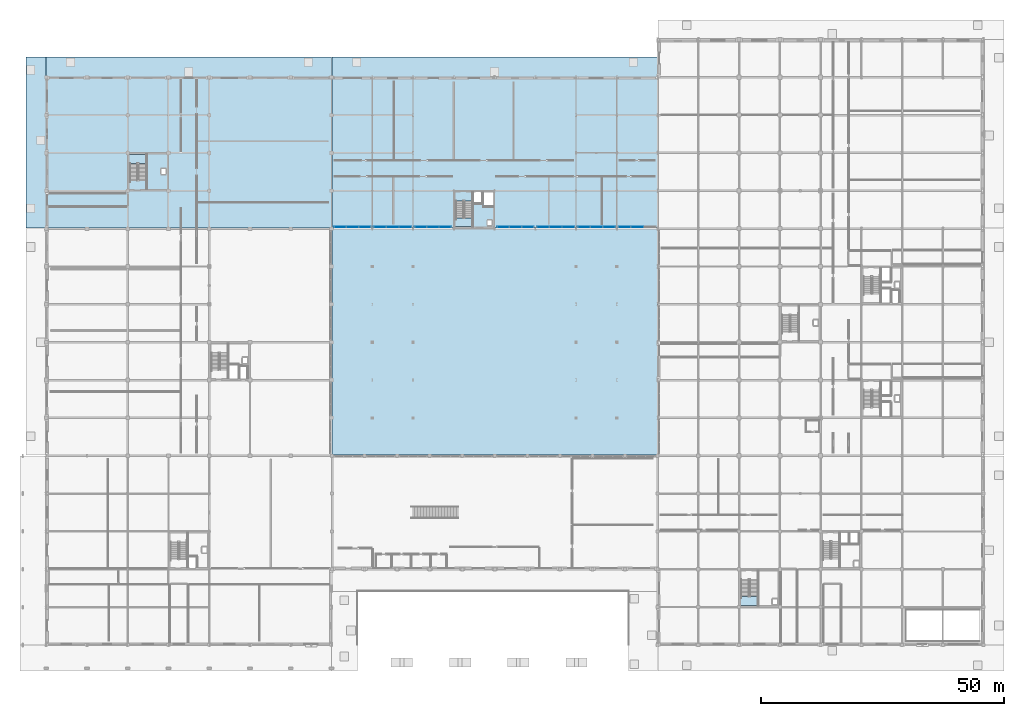
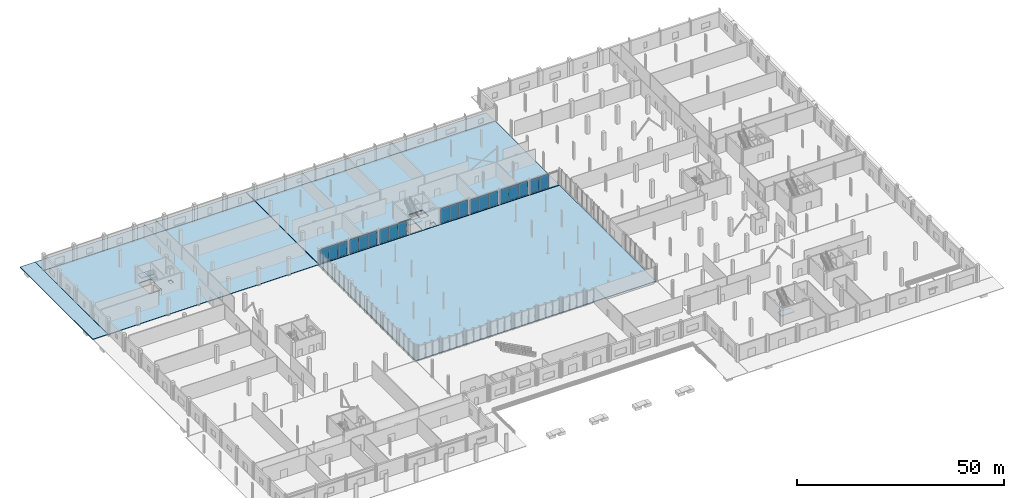
# One storey, part 42 of 80: 20 plates, 9 slabs, 10 elements without a shape of their own.
"""IFC4 building model written with IfcOpenShell, lengths in metres."""

from ifc_helpers import new_model, si_unit, direction, frame, origin, origin_2d, place, context, subcontext, project, spatial, polyline, rectangle, outline, extrude, material, layer, layer_set, type_object, element, aggregate, save


model = new_model("IFC4")

# Units and contexts
model_context = context("Model", 3, precision=1e-05, world=origin(), true_north=direction((0.0, 1.0)))
body_context = subcontext(model_context, "Body", "Model", "MODEL_VIEW")
ifc_project = project(units=[si_unit("LENGTHUNIT", "METRE"), si_unit("AREAUNIT", "SQUARE_METRE"), si_unit("VOLUMEUNIT", "CUBIC_METRE"), si_unit("PLANEANGLEUNIT", "RADIAN"), si_unit("MASSUNIT", "GRAM", prefix="KILO")], contexts=[model_context])

# Site, building, storey
site_placement = place(None, origin())
site = spatial("IfcSite", under=ifc_project, at=site_placement, CompositionType="ELEMENT")
building_placement = place(site_placement, origin())
building = spatial("IfcBuilding", under=site, at=building_placement, Name="Nabrawat Pavilion Hospital", CompositionType="ELEMENT")
storey_placement = place(building_placement, origin())
storey = spatial("IfcBuildingStorey", under=building, at=storey_placement, Name="L00", CompositionType="ELEMENT", Elevation=0.0)

# Slabs
ifc_material_1 = material(Name="Concrete C35/45", Category="concrete")
ifc_layer_1 = layer(ifc_material_1, 0.25, Name="Concrete C35/45")
ifc_layer_set_1 = layer_set([ifc_layer_1], Name="Concrete C35/45")
slab_type_1 = type_object("IfcSlabType", Name="Composite Lower Ward Slab 250", PredefinedType="FLOOR", material=ifc_layer_set_1)
slab_1_placement = place(storey_placement, frame((0.0, 0.0, -0.25)))
element("IfcSlab", 1, at=slab_1_placement, inside=storey, type_object=slab_type_1, Name="L00 Structural Floor Slab P_L00_V3_N", PredefinedType="FLOOR", context=body_context, shape_type="SweptSolid", body=[
    extrude(outline(polyline([(0.0, 85.919921875), (58.800048828125, 85.919921875), (58.800048828125, 117.0), (0.0, 117.0), (0.0, 85.919921875)]), holes=[polyline([(24.64990234375, 98.14990234375), (24.64990234375, 97.050048828125), (23.75, 97.050048828125), (23.75, 98.14990234375), (24.64990234375, 98.14990234375)]), polyline([(17.25, 100.949951171875), (20.64990234375, 100.949951171875), (20.64990234375, 95.669921875), (17.25, 95.669921875), (17.25, 100.949951171875)])]), origin(), (0.0, 0.0, 1.0), 0.25),
])
ifc_layer_2 = layer(ifc_material_1, 0.280029296875, Name="Concrete C35/45")
ifc_layer_set_2 = layer_set([ifc_layer_2], Name="Concrete C35/45")
slab_type_2 = type_object("IfcSlabType", Name="Diagnostic Imaging Heavy Slab 280", PredefinedType="FLOOR", material=ifc_layer_set_2)
slab_2_placement = place(storey_placement, frame((0.0, 0.0, -0.280029296875)))
element("IfcSlab", 2, at=slab_2_placement, inside=storey, type_object=slab_type_2, Name="L00 Structural Floor Slab P_L00_V4", PredefinedType="FLOOR", context=body_context, shape_type="SweptSolid", body=[
    extrude(outline(polyline([(58.919921875, 85.919921875), (126.0, 85.919921875), (126.0, 117.0), (58.919921875, 117.0), (58.919921875, 85.919921875)]), holes=[polyline([(90.1201171875, 90.39990234375), (90.1201171875, 93.300048828125), (92.080078125, 93.300048828125), (92.080078125, 90.39990234375), (90.1201171875, 90.39990234375)]), polyline([(90.949951171875, 86.469970703125), (90.949951171875, 87.570068359375), (91.85009765625, 87.570068359375), (91.85009765625, 86.469970703125), (90.949951171875, 86.469970703125)]), polyline([(88.10009765625, 91.0), (88.10009765625, 93.300048828125), (89.860107421875, 93.300048828125), (89.860107421875, 91.0), (88.10009765625, 91.0)]), polyline([(84.449951171875, 91.530029296875), (87.85009765625, 91.530029296875), (87.85009765625, 86.25), (84.449951171875, 86.25), (84.449951171875, 91.530029296875)])]), origin(), (0.0, 0.0, 1.0), 0.280029296875),
])
ifc_layer_3 = layer(ifc_material_1, 0.199951171875, Name="Concrete C35/45")
ifc_layer_set_3 = layer_set([ifc_layer_3], Name="Concrete C35/45")
slab_type_3 = type_object("IfcSlabType", Name="Exterior Grade Driveway and Entry Apron 200", PredefinedType="FLOOR", material=ifc_layer_set_3)
slab_3_placement = place(storey_placement, frame((0.0, 0.0, -0.199951171875)))
element("IfcSlab", 3, at=slab_3_placement, inside=storey, type_object=slab_type_3, Name="L00 West Perimeter Exit Walkway Slab North", PredefinedType="FLOOR", context=body_context, shape_type="SweptSolid", body=[
    extrude(outline(polyline([(-0.02001953125, 85.93994140625), (-0.02001953125, 121.199951171875), (-4.199951171875, 121.199951171875), (-4.199951171875, 85.93994140625), (-0.02001953125, 85.93994140625)])), origin(), (0.0, 0.0, 1.0), 0.199951171875),
])
slab_4_placement = place(storey_placement, frame((0.0, 0.0, -0.199951171875)))
element("IfcSlab", 4, at=slab_4_placement, inside=storey, type_object=slab_type_3, Name="L00 North-West Surgical Perimeter Apron", PredefinedType="FLOOR", context=body_context, shape_type="SweptSolid", body=[
    extrude(outline(polyline([(58.780029296875, 117.02001953125), (58.780029296875, 121.199951171875), (0.0, 121.199951171875), (0.0, 117.02001953125), (58.780029296875, 117.02001953125)])), origin(), (0.0, 0.0, 1.0), 0.199951171875),
])
slab_5_placement = place(storey_placement, frame((0.0, 0.0, -0.199951171875)))
element("IfcSlab", 5, at=slab_5_placement, inside=storey, type_object=slab_type_3, Name="L00 North Diagnostic Exit & Dock Apron", PredefinedType="FLOOR", context=body_context, shape_type="SweptSolid", body=[
    extrude(outline(polyline([(125.97998046875, 117.02001953125), (125.97998046875, 121.199951171875), (58.93994140625, 121.199951171875), (58.93994140625, 117.02001953125), (125.97998046875, 117.02001953125)])), origin(), (0.0, 0.0, 1.0), 0.199951171875),
])
slab_6_placement = place(storey_placement, frame((0.0, 0.0, -0.199951171875)))
element("IfcSlab", 6, at=slab_6_placement, inside=storey, type_object=slab_type_3, Name="L00 Central Healing Garden Courtyard Deck", PredefinedType="FLOOR", context=body_context, shape_type="SweptSolid", body=[
    extrude(outline(polyline([(125.97998046875, 39.139892578125), (125.97998046875, 85.780029296875), (58.93994140625, 85.780029296875), (58.93994140625, 39.139892578125), (125.97998046875, 39.139892578125)])), origin(), (0.0, 0.0, 1.0), 0.199951171875),
])

# Curtain wall, plates
ifc_material_2 = material(Name="Anodised Aluminium", Category="aluminium")
curtain_wall_type = type_object("IfcCurtainWallType", Name="Healing Garden Cloister Curtain Wall", PredefinedType="USERDEFINED", material=ifc_material_2)
curtain_wall_1_placement = place(storey_placement, origin())
curtain_wall_1 = element("IfcCurtainWall", 7, at=curtain_wall_1_placement, inside=storey, type_object=curtain_wall_type, Name="L00 Healing Garden Cloister Curtain Wall 017", ObjectType="CURTAIN WALL", PredefinedType="USERDEFINED")
ifc_material_3 = material(Name="Double-Glazed Low-E Glass", Category="glass")
ifc_layer_4 = layer(ifc_material_3, 0.028076171875, Name="Double-Glazed Low-E Glass")
ifc_layer_set_4 = layer_set([ifc_layer_4], Name="Double-Glazed Low-E Glass")
plate_type = type_object("IfcPlateType", Name="Healing Garden Cloister Curtain Wall Low-E Solar Panel 28", PredefinedType="CURTAIN_PANEL", material=ifc_layer_set_4)
plate_1_placement = place(storey_placement, frame((60.59716796875, 86.139892578125, 0.06494140625), z_axis=(0.0, 0.0, 1.0), x_axis=(1.0, 0.0, 0.0)))
plate_1 = element("IfcPlate", 8, at=plate_1_placement, type_object=plate_type, Name="CW-CLN-01 panel 1.1", PredefinedType="CURTAIN_PANEL", context=body_context, shape_type="SweptSolid", body=[
    extrude(rectangle(XDim=2.43408203125, YDim=0.028076171875, at=origin_2d()), origin(), (0.0, 0.0, 1.0), 4.010009765625),
])
plate_2_placement = place(storey_placement, frame((63.112548828125, 86.139892578125, 0.06494140625), z_axis=(0.0, 0.0, 1.0), x_axis=(1.0, 0.0, 0.0)))
plate_2 = element("IfcPlate", 9, at=plate_2_placement, type_object=plate_type, Name="CW-CLN-01 panel 2.1", PredefinedType="CURTAIN_PANEL", context=body_context, shape_type="SweptSolid", body=[
    extrude(rectangle(XDim=2.466552734375, YDim=0.028076171875, at=origin_2d()), origin(), (0.0, 0.0, 1.0), 4.010009765625),
])
plate_3_placement = place(storey_placement, frame((65.6279296875, 86.139892578125, 0.06494140625), z_axis=(0.0, 0.0, 1.0), x_axis=(1.0, 0.0, 0.0)))
plate_3 = element("IfcPlate", 10, at=plate_3_placement, type_object=plate_type, Name="CW-CLN-01 panel 3.1", PredefinedType="CURTAIN_PANEL", context=body_context, shape_type="SweptSolid", body=[
    extrude(rectangle(XDim=2.43408203125, YDim=0.028076171875, at=origin_2d()), origin(), (0.0, 0.0, 1.0), 4.010009765625),
])
aggregate(curtain_wall_1, [plate_1, plate_2, plate_3])

curtain_wall_2_placement = place(storey_placement, origin())
curtain_wall_2 = element("IfcCurtainWall", 11, at=curtain_wall_2_placement, inside=storey, type_object=curtain_wall_type, Name="L00 Healing Garden Cloister Curtain Wall 018", ObjectType="CURTAIN WALL", PredefinedType="USERDEFINED")
plate_4_placement = place(storey_placement, frame((68.8095703125, 86.139892578125, 0.06494140625), z_axis=(0.0, 0.0, 1.0), x_axis=(1.0, 0.0, 0.0)))
plate_4 = element("IfcPlate", 12, at=plate_4_placement, type_object=plate_type, Name="CW-CLN-01 panel 1.1", PredefinedType="CURTAIN_PANEL", context=body_context, shape_type="SweptSolid", body=[
    extrude(rectangle(XDim=2.50927734375, YDim=0.028076171875, at=origin_2d()), origin(), (0.0, 0.0, 1.0), 4.010009765625),
])
plate_5_placement = place(storey_placement, frame((71.39990234375, 86.139892578125, 0.06494140625), z_axis=(0.0, 0.0, 1.0), x_axis=(1.0, 0.0, 0.0)))
plate_5 = element("IfcPlate", 13, at=plate_5_placement, type_object=plate_type, Name="CW-CLN-01 panel 2.1", PredefinedType="CURTAIN_PANEL", context=body_context, shape_type="SweptSolid", body=[
    extrude(rectangle(XDim=2.541748046875, YDim=0.028076171875, at=origin_2d()), origin(), (0.0, 0.0, 1.0), 4.010009765625),
])
plate_6_placement = place(storey_placement, frame((73.990478515625, 86.139892578125, 0.06494140625), z_axis=(0.0, 0.0, 1.0), x_axis=(1.0, 0.0, 0.0)))
plate_6 = element("IfcPlate", 14, at=plate_6_placement, type_object=plate_type, Name="CW-CLN-01 panel 3.1", PredefinedType="CURTAIN_PANEL", context=body_context, shape_type="SweptSolid", body=[
    extrude(rectangle(XDim=2.50927734375, YDim=0.028076171875, at=origin_2d()), origin(), (0.0, 0.0, 1.0), 4.010009765625),
])
aggregate(curtain_wall_2, [plate_4, plate_5, plate_6])

curtain_wall_3_placement = place(storey_placement, origin())
curtain_wall_3 = element("IfcCurtainWall", 15, at=curtain_wall_3_placement, inside=storey, type_object=curtain_wall_type, Name="L00 Healing Garden Cloister Curtain Wall 019", ObjectType="CURTAIN WALL", PredefinedType="USERDEFINED")
plate_7_placement = place(storey_placement, frame((77.174560546875, 86.139892578125, 0.06494140625), z_axis=(0.0, 0.0, 1.0), x_axis=(1.0, 0.0, 0.0)))
plate_7 = element("IfcPlate", 16, at=plate_7_placement, type_object=plate_type, Name="CW-CLN-01 panel 1.1", PredefinedType="CURTAIN_PANEL", context=body_context, shape_type="SweptSolid", body=[
    extrude(rectangle(XDim=2.439208984375, YDim=0.028076171875, at=origin_2d()), origin(), (0.0, 0.0, 1.0), 4.010009765625),
])
plate_8_placement = place(storey_placement, frame((79.695068359375, 86.139892578125, 0.06494140625), z_axis=(0.0, 0.0, 1.0), x_axis=(1.0, 0.0, 0.0)))
plate_8 = element("IfcPlate", 17, at=plate_8_placement, type_object=plate_type, Name="CW-CLN-01 panel 2.1", PredefinedType="CURTAIN_PANEL", context=body_context, shape_type="SweptSolid", body=[
    extrude(rectangle(XDim=2.4716796875, YDim=0.028076171875, at=origin_2d()), origin(), (0.0, 0.0, 1.0), 4.010009765625),
])
plate_9_placement = place(storey_placement, frame((82.21533203125, 86.139892578125, 0.06494140625), z_axis=(0.0, 0.0, 1.0), x_axis=(1.0, 0.0, 0.0)))
plate_9 = element("IfcPlate", 18, at=plate_9_placement, type_object=plate_type, Name="CW-CLN-01 panel 3.1", PredefinedType="CURTAIN_PANEL", context=body_context, shape_type="SweptSolid", body=[
    extrude(rectangle(XDim=2.439208984375, YDim=0.028076171875, at=origin_2d()), origin(), (0.0, 0.0, 1.0), 4.010009765625),
])
aggregate(curtain_wall_3, [plate_7, plate_8, plate_9])

curtain_wall_4_placement = place(storey_placement, origin())
curtain_wall_4 = element("IfcCurtainWall", 19, at=curtain_wall_4_placement, inside=storey, type_object=curtain_wall_type, Name="L00 Healing Garden Cloister Curtain Wall 020", ObjectType="CURTAIN WALL", PredefinedType="USERDEFINED")
plate_10_placement = place(storey_placement, frame((94.1845703125, 86.139892578125, 0.06494140625), z_axis=(0.0, 0.0, 1.0), x_axis=(1.0, 0.0, 0.0)))
plate_10 = element("IfcPlate", 20, at=plate_10_placement, type_object=plate_type, Name="CW-CLN-01 panel 1.1", PredefinedType="CURTAIN_PANEL", context=body_context, shape_type="SweptSolid", body=[
    extrude(rectangle(XDim=2.439208984375, YDim=0.028076171875, at=origin_2d()), origin(), (0.0, 0.0, 1.0), 4.280029296875),
])
plate_11_placement = place(storey_placement, frame((96.705078125, 86.139892578125, 0.06494140625), z_axis=(0.0, 0.0, 1.0), x_axis=(1.0, 0.0, 0.0)))
plate_11 = element("IfcPlate", 21, at=plate_11_placement, type_object=plate_type, Name="CW-CLN-01 panel 2.1", PredefinedType="CURTAIN_PANEL", context=body_context, shape_type="SweptSolid", body=[
    extrude(rectangle(XDim=2.4716796875, YDim=0.028076171875, at=origin_2d()), origin(), (0.0, 0.0, 1.0), 4.280029296875),
])
plate_12_placement = place(storey_placement, frame((99.225341796875, 86.139892578125, 0.06494140625), z_axis=(0.0, 0.0, 1.0), x_axis=(1.0, 0.0, 0.0)))
plate_12 = element("IfcPlate", 22, at=plate_12_placement, type_object=plate_type, Name="CW-CLN-01 panel 3.1", PredefinedType="CURTAIN_PANEL", context=body_context, shape_type="SweptSolid", body=[
    extrude(rectangle(XDim=2.439208984375, YDim=0.028076171875, at=origin_2d()), origin(), (0.0, 0.0, 1.0), 4.280029296875),
])
aggregate(curtain_wall_4, [plate_10, plate_11, plate_12])

curtain_wall_5_placement = place(storey_placement, origin())
curtain_wall_5 = element("IfcCurtainWall", 23, at=curtain_wall_5_placement, inside=storey, type_object=curtain_wall_type, Name="L00 Healing Garden Cloister Curtain Wall 021", ObjectType="CURTAIN WALL", PredefinedType="USERDEFINED")
plate_13_placement = place(storey_placement, frame((102.40966796875, 86.139892578125, 0.06494140625), z_axis=(0.0, 0.0, 1.0), x_axis=(1.0, 0.0, 0.0)))
plate_13 = element("IfcPlate", 24, at=plate_13_placement, type_object=plate_type, Name="CW-CLN-01 panel 1.1", PredefinedType="CURTAIN_PANEL", context=body_context, shape_type="SweptSolid", body=[
    extrude(rectangle(XDim=2.50927734375, YDim=0.028076171875, at=origin_2d()), origin(), (0.0, 0.0, 1.0), 4.010009765625),
])
plate_14_placement = place(storey_placement, frame((105.0, 86.139892578125, 0.06494140625), z_axis=(0.0, 0.0, 1.0), x_axis=(1.0, 0.0, 0.0)))
plate_14 = element("IfcPlate", 25, at=plate_14_placement, type_object=plate_type, Name="CW-CLN-01 panel 2.1", PredefinedType="CURTAIN_PANEL", context=body_context, shape_type="SweptSolid", body=[
    extrude(rectangle(XDim=2.541748046875, YDim=0.028076171875, at=origin_2d()), origin(), (0.0, 0.0, 1.0), 4.010009765625),
])
plate_15_placement = place(storey_placement, frame((107.59033203125, 86.139892578125, 0.06494140625), z_axis=(0.0, 0.0, 1.0), x_axis=(1.0, 0.0, 0.0)))
plate_15 = element("IfcPlate", 26, at=plate_15_placement, type_object=plate_type, Name="CW-CLN-01 panel 3.1", PredefinedType="CURTAIN_PANEL", context=body_context, shape_type="SweptSolid", body=[
    extrude(rectangle(XDim=2.50927734375, YDim=0.028076171875, at=origin_2d()), origin(), (0.0, 0.0, 1.0), 4.010009765625),
])
aggregate(curtain_wall_5, [plate_13, plate_14, plate_15])

curtain_wall_6_placement = place(storey_placement, origin())
curtain_wall_6 = element("IfcCurtainWall", 27, at=curtain_wall_6_placement, inside=storey, type_object=curtain_wall_type, Name="L00 Healing Garden Cloister Curtain Wall 022", ObjectType="CURTAIN WALL", PredefinedType="USERDEFINED")
plate_16_placement = place(storey_placement, frame((110.8095703125, 86.139892578125, 0.06494140625), z_axis=(0.0, 0.0, 1.0), x_axis=(1.0, 0.0, 0.0)))
plate_16 = element("IfcPlate", 28, at=plate_16_placement, type_object=plate_type, Name="CW-CLN-01 panel 1.1", PredefinedType="CURTAIN_PANEL", context=body_context, shape_type="SweptSolid", body=[
    extrude(rectangle(XDim=2.50927734375, YDim=0.028076171875, at=origin_2d()), origin(), (0.0, 0.0, 1.0), 4.010009765625),
])
plate_17_placement = place(storey_placement, frame((113.39990234375, 86.139892578125, 0.06494140625), z_axis=(0.0, 0.0, 1.0), x_axis=(1.0, 0.0, 0.0)))
plate_17 = element("IfcPlate", 29, at=plate_17_placement, type_object=plate_type, Name="CW-CLN-01 panel 2.1", PredefinedType="CURTAIN_PANEL", context=body_context, shape_type="SweptSolid", body=[
    extrude(rectangle(XDim=2.541748046875, YDim=0.028076171875, at=origin_2d()), origin(), (0.0, 0.0, 1.0), 4.010009765625),
])
plate_18_placement = place(storey_placement, frame((115.990478515625, 86.139892578125, 0.06494140625), z_axis=(0.0, 0.0, 1.0), x_axis=(1.0, 0.0, 0.0)))
plate_18 = element("IfcPlate", 30, at=plate_18_placement, type_object=plate_type, Name="CW-CLN-01 panel 3.1", PredefinedType="CURTAIN_PANEL", context=body_context, shape_type="SweptSolid", body=[
    extrude(rectangle(XDim=2.50927734375, YDim=0.028076171875, at=origin_2d()), origin(), (0.0, 0.0, 1.0), 4.010009765625),
])
aggregate(curtain_wall_6, [plate_16, plate_17, plate_18])

curtain_wall_7_placement = place(storey_placement, origin())
curtain_wall_7 = element("IfcCurtainWall", 31, at=curtain_wall_7_placement, inside=storey, type_object=curtain_wall_type, Name="L00 Healing Garden Cloister Curtain Wall 023", ObjectType="CURTAIN WALL", PredefinedType="USERDEFINED")
plate_19_placement = place(storey_placement, frame((119.20947265625, 86.139892578125, 0.06494140625), z_axis=(0.0, 0.0, 1.0), x_axis=(1.0, 0.0, 0.0)))
plate_19 = element("IfcPlate", 32, at=plate_19_placement, type_object=plate_type, Name="CW-CLN-01 panel 1.1", PredefinedType="CURTAIN_PANEL", context=body_context, shape_type="SweptSolid", body=[
    extrude(rectangle(XDim=2.50927734375, YDim=0.028076171875, at=origin_2d()), origin(), (0.0, 0.0, 1.0), 4.010009765625),
])
plate_20_placement = place(storey_placement, frame((121.800048828125, 86.139892578125, 0.06494140625), z_axis=(0.0, 0.0, 1.0), x_axis=(1.0, 0.0, 0.0)))
plate_20 = element("IfcPlate", 33, at=plate_20_placement, type_object=plate_type, Name="CW-CLN-01 panel 2.1", PredefinedType="CURTAIN_PANEL", context=body_context, shape_type="SweptSolid", body=[
    extrude(rectangle(XDim=2.541748046875, YDim=0.028076171875, at=origin_2d()), origin(), (0.0, 0.0, 1.0), 4.010009765625),
])
aggregate(curtain_wall_7, [plate_19, plate_20])

# Stair, slab
stair_type = type_object("IfcStairType", Name="Core Dogleg Escape Stair Assembly", PredefinedType="HALF_TURN_STAIR", material=ifc_material_1)
stair_1_placement = place(storey_placement, origin())
stair_1 = element("IfcStair", 34, at=stair_1_placement, inside=storey, type_object=stair_type, Name="L00 Diagnostic and Main Hall Core 3", PredefinedType="HALF_TURN_STAIR")
ifc_layer_5 = layer(ifc_material_1, 0.199951171875, Name="Concrete C35/45")
ifc_layer_set_5 = layer_set([ifc_layer_5], Name="Concrete C35/45")
slab_type_4 = type_object("IfcSlabType", Name="Reinforced Concrete Stair Half-Landing 200", PredefinedType="LANDING", material=ifc_layer_set_5)
slab_7_placement = place(storey_placement, frame((0.0, 0.0, 2.35009765625)))
slab_7 = element("IfcSlab", 35, at=slab_7_placement, type_object=slab_type_4, Name="ST-03 landing 1", PredefinedType="LANDING", context=body_context, shape_type="SweptSolid", body=[
    extrude(outline(polyline([(87.8701171875, 86.199951171875), (87.8701171875, 87.955078125), (84.280029296875, 87.955078125), (84.280029296875, 86.199951171875), (87.8701171875, 86.199951171875)])), origin(), (0.0, 0.0, 1.0), 0.199951171875),
])
aggregate(stair_1, [slab_7])

stair_2_placement = place(storey_placement, origin())
stair_2 = element("IfcStair", 36, at=stair_2_placement, inside=storey, type_object=stair_type, Name="L00 Surgical North Escape Stair Core 7", PredefinedType="HALF_TURN_STAIR")
slab_8_placement = place(storey_placement, frame((0.0, 0.0, 2.35009765625)))
slab_8 = element("IfcSlab", 37, at=slab_8_placement, type_object=slab_type_4, Name="ST-07 landing 1", PredefinedType="LANDING", context=body_context, shape_type="SweptSolid", body=[
    extrude(outline(polyline([(20.669921875, 99.2451171875), (20.669921875, 101.1201171875), (17.080078125, 101.1201171875), (17.080078125, 99.2451171875), (20.669921875, 99.2451171875)])), origin(), (0.0, 0.0, 1.0), 0.199951171875),
])
aggregate(stair_2, [slab_8])

stair_3_placement = place(storey_placement, origin())
stair_3 = element("IfcStair", 38, at=stair_3_placement, inside=storey, type_object=stair_type, Name="L00 Outpatient West Escape Stair Core 8", PredefinedType="HALF_TURN_STAIR")
slab_9_placement = place(storey_placement, frame((0.0, 0.0, 2.35009765625)))
slab_9 = element("IfcSlab", 39, at=slab_9_placement, type_object=slab_type_4, Name="ST-08 landing 1", PredefinedType="LANDING", context=body_context, shape_type="SweptSolid", body=[
    extrude(outline(polyline([(146.669921875, 8.080078125), (146.669921875, 9.955078125), (143.080078125, 9.955078125), (143.080078125, 8.080078125), (146.669921875, 8.080078125)])), origin(), (0.0, 0.0, 1.0), 0.199951171875),
])
aggregate(stair_3, [slab_9])

save(model, "model.ifc")
